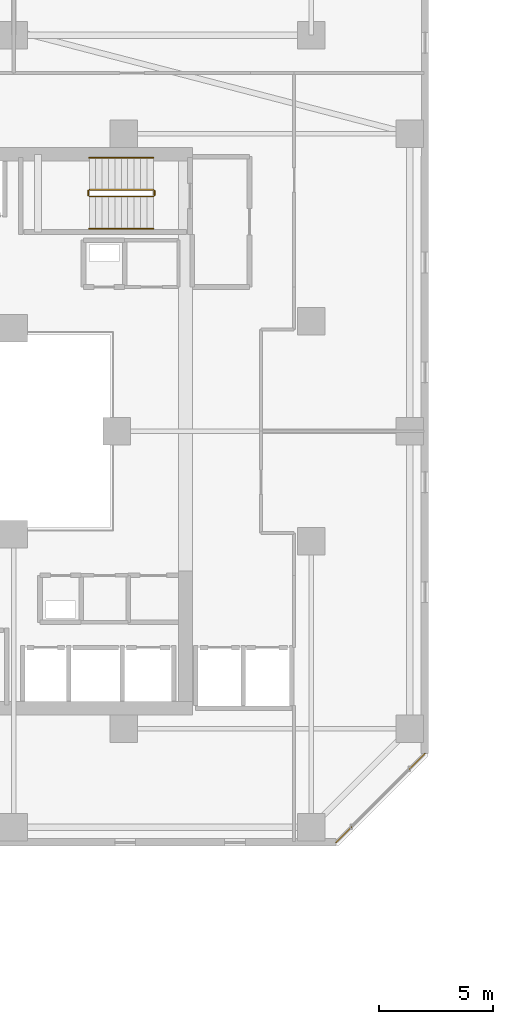
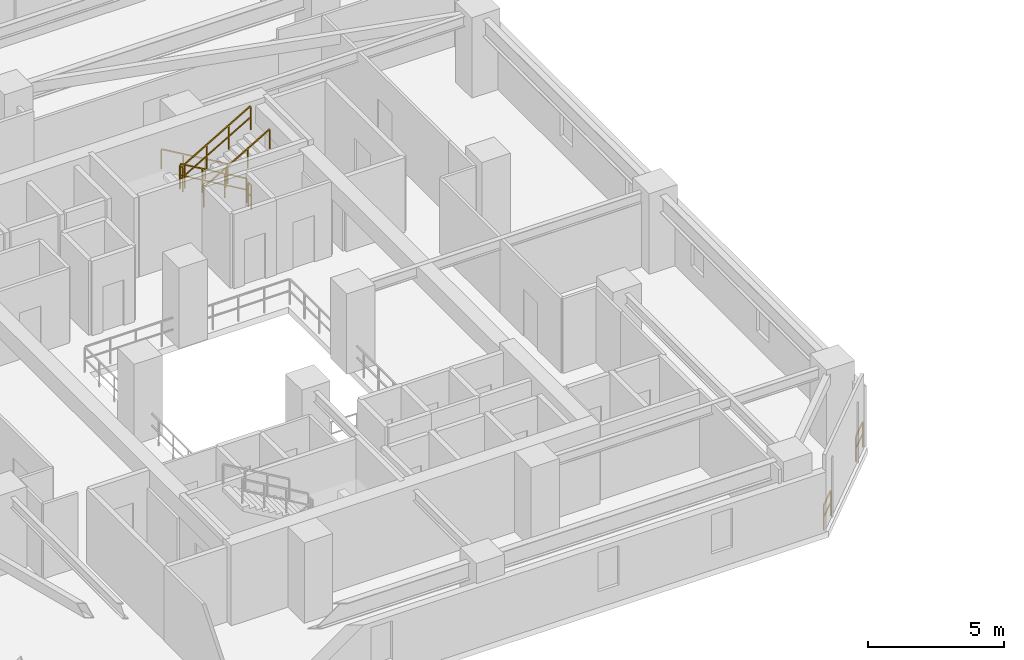
# One storey, part 31 of 33: 8 railings.
"""IFC4 building model written with IfcOpenShell, lengths in metres."""

import ifcopenshell
import ifcopenshell.guid

model = None  # the IFC model being written
_history = None  # IfcOwnerHistory: only IFC2X3 demands one
_inside = {}  # id of a spatial element -> (the spatial element, [elements in it])
_under = {}  # id of a project, library or spatial element -> (it, [spatial elements below it])
_declared = {}  # id of a project -> (the project, [libraries it declares])
_typed = {}  # id of a type object -> (the type object, [elements of that type])
_made_of = {}  # id of a material, layer set ... -> (it, [elements and type objects made of it])


def new_model(schema):
    """Start an empty IFC model of exactly this schema.

    Asked for "IFC4X3", IfcOpenShell would pick the latest addendum, in which some entities
    have other attributes; the version numbers below select the first issue.
    IFC2X3 requires an IfcOwnerHistory on every rooted entity: one is made here for all.
    """
    global model, _history
    if schema == "IFC4X3":
        model = ifcopenshell.file(schema_version=(4, 3, 0, 0))
    else:
        model = ifcopenshell.file(schema=schema)
    _inside.clear()
    _under.clear()
    _declared.clear()
    _typed.clear()
    _made_of.clear()
    _history = None
    if model.schema == "IFC2X3":
        org = make("IfcOrganization", Name="unknown")
        user = make(
            "IfcPersonAndOrganization",
            ThePerson=make("IfcPerson", FamilyName="unknown"),
            TheOrganization=org,
        )
        app = make(
            "IfcApplication",
            ApplicationDeveloper=org,
            Version="unknown",
            ApplicationFullName="unknown",
            ApplicationIdentifier="unknown",
        )
        _history = make(
            "IfcOwnerHistory",
            OwningUser=user,
            OwningApplication=app,
            ChangeAction="ADDED",
            CreationDate=0,
        )
    return model


def make(cls, **values):
    """One entity of the class cls with the attributes given. An attribute that is None is left unset."""
    return model.create_entity(
        cls, **{name: value for name, value in values.items() if value is not None}
    )


def rooted(cls, **values):
    """An entity with a GlobalId (a new one), such as an element, a storey or a relation."""
    return make(cls, GlobalId=ifcopenshell.guid.new(), OwnerHistory=_history, **values)


def si_unit(unit_type, name, prefix=None):
    """IfcSIUnit, for example si_unit("LENGTHUNIT", "METRE", prefix="MILLI")."""
    return make("IfcSIUnit", UnitType=unit_type, Prefix=prefix, Name=name)


def assignment(units):
    """IfcUnitAssignment: the units of a project."""
    return None if units is None else make("IfcUnitAssignment", Units=units)


def point(xyz):
    """IfcCartesianPoint."""
    return None if xyz is None else make("IfcCartesianPoint", Coordinates=xyz)


def direction(xyz):
    """IfcDirection."""
    return None if xyz is None else make("IfcDirection", DirectionRatios=xyz)


def frame(location, z_axis=None, x_axis=None):
    """IfcAxis2Placement3D, a coordinate frame: its origin and axes. An axis left out is left unset."""
    return make(
        "IfcAxis2Placement3D",
        Location=point(location),
        Axis=direction(z_axis),
        RefDirection=direction(x_axis),
    )


def frame_2d(location, x_axis=None):
    """IfcAxis2Placement2D, a coordinate frame in the plane: its origin and x axis."""
    return make(
        "IfcAxis2Placement2D", Location=point(location), RefDirection=direction(x_axis)
    )


def origin():
    """The frame at (0, 0, 0) with its axes left unset."""
    return frame((0.0, 0.0, 0.0))


def origin_2d():
    """The frame at (0, 0) in the plane with its x axis left unset."""
    return frame_2d((0.0, 0.0))


def place(relative_to, where):
    """IfcLocalPlacement: puts the frame where relative to a parent placement (None: the world)."""
    return make(
        "IfcLocalPlacement", PlacementRelTo=relative_to, RelativePlacement=where
    )


def context(
    kind, dimensions, precision=None, world=None, true_north=None, identifier=None
):
    """IfcGeometricRepresentationContext, for example the 3D "Model" context."""
    return make(
        "IfcGeometricRepresentationContext",
        ContextIdentifier=identifier,
        ContextType=kind,
        CoordinateSpaceDimension=dimensions,
        Precision=precision,
        WorldCoordinateSystem=world,
        TrueNorth=true_north,
    )


def subcontext(parent, identifier, kind, view, scale=None):
    """IfcGeometricRepresentationSubContext, for example "Body" below "Model"."""
    return make(
        "IfcGeometricRepresentationSubContext",
        ContextIdentifier=identifier,
        ContextType=kind,
        ParentContext=parent,
        TargetScale=scale,
        TargetView=view,
    )


def project(units=None, contexts=None):
    """IfcProject with its units and contexts."""
    return rooted(
        "IfcProject",
        Name="project",
        RepresentationContexts=contexts,
        UnitsInContext=assignment(units),
    )


def spatial(cls, under=None, at=None, **own):
    """A site, building, storey or space (cls), placed at a placement, below another one or the project."""
    s = rooted(cls, ObjectPlacement=at, **own)
    if under is not None:
        _under.setdefault(under.id(), (under, []))[1].append(s)
    return s


def profile(cls, at=None, kind="AREA", **sizes):
    """A parametric profile (cls). Its sizes go by their IFC names, for example OverallWidth=200.0."""
    return make(cls, ProfileType=kind, Position=at, **sizes)


def rectangle(**sizes):
    """IfcRectangleProfileDef."""
    return profile("IfcRectangleProfileDef", **sizes)


def extrude(swept, where, along, depth):
    """IfcExtrudedAreaSolid: the profile swept, set in the frame where, extruded along a direction by depth."""
    return make(
        "IfcExtrudedAreaSolid",
        SweptArea=swept,
        Position=where,
        ExtrudedDirection=direction(along),
        Depth=depth,
    )


def shape(context_of_items, identifier, shape_type, items):
    """IfcShapeRepresentation: the items that make up one representation, for example the "Body"."""
    return make(
        "IfcShapeRepresentation",
        ContextOfItems=context_of_items,
        RepresentationIdentifier=identifier,
        RepresentationType=shape_type,
        Items=items,
    )


def material(Name=None, Category=None):
    """IfcMaterial."""
    return make("IfcMaterial", Name=Name, Category=Category)


def made_of(thing, what):
    """Note that an element or type object is made of a material, layer set ...; save() writes the relation."""
    if what is not None:
        _made_of.setdefault(what.id(), (what, []))[1].append(thing)
    return thing


def type_object(cls, material=None, **own):
    """A type object (cls), such as IfcWallType, which elements share."""
    return made_of(rooted(cls, **own), material)


def element(
    cls,
    number,
    at=None,
    inside=None,
    cuts=None,
    type_object=None,
    material=None,
    context=None,
    identifier="Body",
    shape_type=None,
    held_by="IfcProductDefinitionShape",
    body=None,
    shapes=None,
    **own,
):
    """One element of the class cls, such as IfcWall. Its Tag is "e" and its number.

    at: its placement. inside: the storey or other place that contains it. cuts: it is an
    opening in that element (IfcRelVoidsElement). A single representation is given by context,
    identifier, shape_type and body (its items); several are given by shapes. held_by: the class
    of the entity that holds the representations. save() writes the other relations.
    """
    e = rooted(cls, Tag="e%d" % number, ObjectPlacement=at, **own)
    if body is not None:
        shapes = [shape(context, identifier, shape_type, body)]
    if shapes is not None:
        e.Representation = make(held_by, Representations=shapes)
    if inside is not None:
        _inside.setdefault(inside.id(), (inside, []))[1].append(e)
    if cuts is not None:
        rooted(
            "IfcRelVoidsElement", RelatingBuildingElement=cuts, RelatedOpeningElement=e
        )
    if type_object is not None:
        _typed.setdefault(type_object.id(), (type_object, []))[1].append(e)
    return made_of(e, material)


def aggregate(whole, parts):
    """IfcRelAggregates: a whole, such as a stair, and the parts it consists of."""
    return rooted("IfcRelAggregates", RelatingObject=whole, RelatedObjects=parts)


def save(model, path):
    """Write the relations noted so far, then the file.

    IfcRelAggregates (storeys below a building ...), IfcRelContainedInSpatialStructure (elements
    in a storey), IfcRelDefinesByType, IfcRelAssociatesMaterial and IfcRelDeclares: one each for
    every whole, place, type object, material and project.
    """
    for whole, parts in _under.values():
        aggregate(whole, parts)
    for where, things in _inside.values():
        rooted(
            "IfcRelContainedInSpatialStructure",
            RelatedElements=things,
            RelatingStructure=where,
        )
    for kind, things in _typed.values():
        rooted("IfcRelDefinesByType", RelatedObjects=things, RelatingType=kind)
    for what, things in _made_of.values():
        rooted("IfcRelAssociatesMaterial", RelatedObjects=things, RelatingMaterial=what)
    for by, libraries in _declared.values():
        rooted("IfcRelDeclares", RelatingContext=by, RelatedDefinitions=libraries)
    model.write(path)


model = new_model("IFC4")

# Units and contexts
model_context = context("Model", 3, precision=1e-05, world=origin(), true_north=direction((0.0, 1.0)))
body_context = subcontext(model_context, "Body", "Model", "MODEL_VIEW")
ifc_project = project(units=[si_unit("LENGTHUNIT", "METRE"), si_unit("AREAUNIT", "SQUARE_METRE"), si_unit("VOLUMEUNIT", "CUBIC_METRE"), si_unit("PLANEANGLEUNIT", "RADIAN"), si_unit("MASSUNIT", "GRAM", prefix="KILO")], contexts=[model_context])

# Site, building, storey
site_placement = place(None, origin())
site = spatial("IfcSite", under=ifc_project, at=site_placement, CompositionType="ELEMENT")
building_placement = place(site_placement, origin())
building = spatial("IfcBuilding", under=site, at=building_placement, Name="Thornwick Lancets Civic Towers", CompositionType="ELEMENT")
storey_placement = place(building_placement, frame((0.0, 0.0, 101.699951171875)))
storey = spatial("IfcBuildingStorey", under=building, at=storey_placement, Name="L26", CompositionType="ELEMENT", Elevation=101.699951171875)

# Railings
ifc_material_1 = material(Name="Brushed stainless steel S355", Category="steel")
railing_type_1 = type_object("IfcRailingType", Name="RAIL_HANDRAIL", PredefinedType="HANDRAIL", material=ifc_material_1)
railing_1_placement = place(storey_placement, frame((31.60009765625, 38.949951171875, 0.16357421875)))
element("IfcRailing", 1, at=railing_1_placement, inside=storey, type_object=railing_type_1, Name="L26 ST-A2 stair handrail 1", PredefinedType="HANDRAIL", context=body_context, shape_type="SweptSolid", body=[
    extrude(rectangle(XDim=0.048095703125, YDim=0.048095703125, at=origin_2d()), frame((0.0, 0.0, 0.8857421875), z_axis=(-0.863360870873, 0.0, 0.504586966384), x_axis=(0.0, -1.0, 0.0)), (0.0, 0.0, 1.0), 3.2431640625),
    extrude(rectangle(XDim=0.0419921875, YDim=0.0419921875, at=origin_2d()), origin(), (0.0, 0.0, 1.0), 0.855712890625),
    extrude(rectangle(XDim=0.0419921875, YDim=0.0419921875, at=origin_2d()), frame((-0.933349609375, 0.0, 0.54541015625)), (0.0, 0.0, 1.0), 0.855712890625),
    extrude(rectangle(XDim=0.0419921875, YDim=0.0419921875, at=origin_2d()), frame((-1.86669921875, 0.0, 1.091064453125)), (0.0, 0.0, 1.0), 0.855712890625),
    extrude(rectangle(XDim=0.0419921875, YDim=0.0419921875, at=origin_2d()), frame((-2.800048828125, 0.0, 1.636474609375)), (0.0, 0.0, 1.0), 0.855712890625),
])
railing_2_placement = place(storey_placement, frame((28.800048828125, 35.85009765625, 1.963623046875)))
element("IfcRailing", 2, at=railing_2_placement, inside=storey, type_object=railing_type_1, Name="L26 ST-A2 stair handrail 2", PredefinedType="HANDRAIL", context=body_context, shape_type="SweptSolid", body=[
    extrude(rectangle(XDim=0.048095703125, YDim=0.048095703125, at=origin_2d()), frame((0.0, 0.0, 0.8857421875), z_axis=(0.863360870873, 0.0, 0.504586966384), x_axis=(0.0, 1.0, 0.0)), (0.0, 0.0, 1.0), 3.2431640625),
    extrude(rectangle(XDim=0.0419921875, YDim=0.0419921875, at=origin_2d()), origin(), (0.0, 0.0, 1.0), 0.855712890625),
    extrude(rectangle(XDim=0.0419921875, YDim=0.0419921875, at=origin_2d()), frame((0.933349609375, 0.0, 0.54541015625)), (0.0, 0.0, 1.0), 0.855712890625),
    extrude(rectangle(XDim=0.0419921875, YDim=0.0419921875, at=origin_2d()), frame((1.86669921875, 0.0, 1.091064453125)), (0.0, 0.0, 1.0), 0.855712890625),
    extrude(rectangle(XDim=0.0419921875, YDim=0.0419921875, at=origin_2d()), frame((2.800048828125, 0.0, 1.636474609375)), (0.0, 0.0, 1.0), 0.855712890625),
])
ifc_material_2 = material(Name="Steel S355JR", Category="steel")
railing_type_2 = type_object("IfcRailingType", Name="RAIL_STAIR_GUARD", PredefinedType="GUARDRAIL", material=ifc_material_2)
railing_3_placement = place(storey_placement, frame((31.60009765625, 37.550048828125, 0.16357421875)))
element("IfcRailing", 3, at=railing_3_placement, inside=storey, type_object=railing_type_2, Name="L26 ST-A2 stair guard 1", PredefinedType="GUARDRAIL", context=body_context, shape_type="SweptSolid", body=[
    extrude(rectangle(XDim=0.048095703125, YDim=0.048095703125, at=origin_2d()), frame((0.0, 0.0, 1.076171875), z_axis=(-0.863360870873, 0.0, 0.504586966384), x_axis=(0.0, -1.0, 0.0)), (0.0, 0.0, 1.0), 3.2431640625),
    extrude(rectangle(XDim=0.0419921875, YDim=0.0419921875, at=origin_2d()), frame((-0.032470703125, 0.0, 0.591064453125), z_axis=(-0.863360870873, 0.0, 0.504586966384), x_axis=(0.0, -1.0, 0.0)), (0.0, 0.0, 1.0), 1.006103515625),
    extrude(rectangle(XDim=0.0419921875, YDim=0.0419921875, at=origin_2d()), frame((-0.9658203125, 0.0, 1.136474609375), z_axis=(-0.863360870873, 0.0, 0.504586966384), x_axis=(0.0, -1.0, 0.0)), (0.0, 0.0, 1.0), 1.006103515625),
    extrude(rectangle(XDim=0.0419921875, YDim=0.0419921875, at=origin_2d()), frame((-1.899169921875, 0.0, 1.681884765625), z_axis=(-0.863360870873, 0.0, 0.504586966384), x_axis=(0.0, -1.0, 0.0)), (0.0, 0.0, 1.0), 1.006103515625),
    extrude(rectangle(XDim=0.0419921875, YDim=0.0419921875, at=origin_2d()), origin(), (0.0, 0.0, 1.0), 1.0458984375),
    extrude(rectangle(XDim=0.0419921875, YDim=0.0419921875, at=origin_2d()), frame((-0.933349609375, 0.0, 0.54541015625)), (0.0, 0.0, 1.0), 1.0458984375),
    extrude(rectangle(XDim=0.0419921875, YDim=0.0419921875, at=origin_2d()), frame((-1.86669921875, 0.0, 1.091064453125)), (0.0, 0.0, 1.0), 1.0458984375),
    extrude(rectangle(XDim=0.0419921875, YDim=0.0419921875, at=origin_2d()), frame((-2.800048828125, 0.0, 1.636474609375)), (0.0, 0.0, 1.0), 1.0458984375),
])
railing_4_placement = place(storey_placement, frame((28.75, 37.5, 1.800048828125)))
element("IfcRailing", 4, at=railing_4_placement, inside=storey, type_object=railing_type_2, Name="L26 ST-A2 stair guard 2", PredefinedType="GUARDRAIL", context=body_context, shape_type="SweptSolid", body=[
    extrude(rectangle(XDim=0.048095703125, YDim=0.048095703125, at=origin_2d()), frame((0.0, 0.0, 1.076171875), z_axis=(0.0, -1.0, 0.0), x_axis=(1.0, 0.0, 0.0)), (0.0, 0.0, 1.0), 0.199951171875),
    extrude(rectangle(XDim=0.0419921875, YDim=0.0419921875, at=origin_2d()), frame((0.0, -0.03759765625, 0.572021484375), z_axis=(0.0, -1.0, 0.0), x_axis=(1.0, 0.0, 0.0)), (0.0, 0.0, 1.0), 0.125),
    extrude(rectangle(XDim=0.0419921875, YDim=0.0419921875, at=origin_2d()), origin(), (0.0, 0.0, 1.0), 1.0458984375),
    extrude(rectangle(XDim=0.0419921875, YDim=0.0419921875, at=origin_2d()), frame((0.0, -0.199951171875, 0.0)), (0.0, 0.0, 1.0), 1.0458984375),
])
railing_5_placement = place(storey_placement, frame((28.800048828125, 37.25, 1.963623046875)))
element("IfcRailing", 5, at=railing_5_placement, inside=storey, type_object=railing_type_2, Name="L26 ST-A2 stair guard 3", PredefinedType="GUARDRAIL", context=body_context, shape_type="SweptSolid", body=[
    extrude(rectangle(XDim=0.048095703125, YDim=0.048095703125, at=origin_2d()), frame((0.0, 0.0, 1.076171875), z_axis=(0.863360870873, 0.0, 0.504586966384), x_axis=(0.0, 1.0, 0.0)), (0.0, 0.0, 1.0), 3.2431640625),
    extrude(rectangle(XDim=0.0419921875, YDim=0.0419921875, at=origin_2d()), frame((0.032470703125, 0.0, 0.591064453125), z_axis=(0.863360870873, 0.0, 0.504586966384), x_axis=(0.0, 1.0, 0.0)), (0.0, 0.0, 1.0), 1.006103515625),
    extrude(rectangle(XDim=0.0419921875, YDim=0.0419921875, at=origin_2d()), frame((0.9658203125, 0.0, 1.136474609375), z_axis=(0.863360870873, 0.0, 0.504586966384), x_axis=(0.0, 1.0, 0.0)), (0.0, 0.0, 1.0), 1.006103515625),
    extrude(rectangle(XDim=0.0419921875, YDim=0.0419921875, at=origin_2d()), frame((1.899169921875, 0.0, 1.681884765625), z_axis=(0.863360870873, 0.0, 0.504586966384), x_axis=(0.0, 1.0, 0.0)), (0.0, 0.0, 1.0), 1.006103515625),
    extrude(rectangle(XDim=0.0419921875, YDim=0.0419921875, at=origin_2d()), origin(), (0.0, 0.0, 1.0), 1.0458984375),
    extrude(rectangle(XDim=0.0419921875, YDim=0.0419921875, at=origin_2d()), frame((0.933349609375, 0.0, 0.54541015625)), (0.0, 0.0, 1.0), 1.0458984375),
    extrude(rectangle(XDim=0.0419921875, YDim=0.0419921875, at=origin_2d()), frame((1.86669921875, 0.0, 1.091064453125)), (0.0, 0.0, 1.0), 1.0458984375),
    extrude(rectangle(XDim=0.0419921875, YDim=0.0419921875, at=origin_2d()), frame((2.800048828125, 0.0, 1.636474609375)), (0.0, 0.0, 1.0), 1.0458984375),
])
railing_6_placement = place(storey_placement, frame((31.64990234375, 37.5, 0.0)))
element("IfcRailing", 6, at=railing_6_placement, inside=storey, type_object=railing_type_2, Name="L26 ST-A2 stair guard 4", PredefinedType="GUARDRAIL", context=body_context, shape_type="SweptSolid", body=[
    extrude(rectangle(XDim=0.048095703125, YDim=0.048095703125, at=origin_2d()), frame((0.0, 0.0, 1.076171875), z_axis=(0.0, -1.0, 0.0), x_axis=(1.0, 0.0, 0.0)), (0.0, 0.0, 1.0), 0.199951171875),
    extrude(rectangle(XDim=0.0419921875, YDim=0.0419921875, at=origin_2d()), frame((0.0, -0.03759765625, 0.572021484375), z_axis=(0.0, -1.0, 0.0), x_axis=(1.0, 0.0, 0.0)), (0.0, 0.0, 1.0), 0.125),
    extrude(rectangle(XDim=0.0419921875, YDim=0.0419921875, at=origin_2d()), origin(), (0.0, 0.0, 1.0), 1.0458984375),
    extrude(rectangle(XDim=0.0419921875, YDim=0.0419921875, at=origin_2d()), frame((0.0, -0.199951171875, 0.0)), (0.0, 0.0, 1.0), 1.0458984375),
])
ifc_material_3 = material(Name="Terracotta-capped laminated glass balustrade S355", Category="masonry")
railing_type_3 = type_object("IfcRailingType", Name="RAIL_TERR_GUARD", PredefinedType="GUARDRAIL", material=ifc_material_3)
railing_7_placement = place(storey_placement, frame((39.577392578125, 9.03955078125, 0.0)))
element("IfcRailing", 7, at=railing_7_placement, inside=storey, type_object=railing_type_3, Name="L26 Tower A Chamfer Spandrel Guard E1-1", PredefinedType="GUARDRAIL", context=body_context, shape_type="SweptSolid", body=[
    extrude(rectangle(XDim=0.048095703125, YDim=0.048095703125, at=origin_2d()), frame((0.0, 0.0, 1.1259765625), z_axis=(0.706978971559, 0.707234567717, 0.0), x_axis=(-0.707234567717, 0.706978971559, 0.0)), (0.0, 0.0, 1.0), 0.955078125),
    extrude(rectangle(XDim=0.0419921875, YDim=0.0419921875, at=origin_2d()), frame((0.026611328125, 0.026611328125, 0.597900390625), z_axis=(0.706978971559, 0.707234567717, 0.0), x_axis=(-0.707234567717, 0.706978971559, 0.0)), (0.0, 0.0, 1.0), 0.880126953125),
    extrude(rectangle(XDim=0.0419921875, YDim=0.0419921875, at=origin_2d()), origin(), (0.0, 0.0, 1.0), 1.095703125),
    extrude(rectangle(XDim=0.0419921875, YDim=0.0419921875, at=origin_2d()), frame((0.67529296875, 0.675537109375, 0.0)), (0.0, 0.0, 1.0), 1.095703125),
])
railing_8_placement = place(storey_placement, frame((42.784912109375, 12.247314453125, 0.0)))
element("IfcRailing", 8, at=railing_8_placement, inside=storey, type_object=railing_type_3, Name="L26 Tower A Chamfer Spandrel Guard E1-2", PredefinedType="GUARDRAIL", context=body_context, shape_type="SweptSolid", body=[
    extrude(rectangle(XDim=0.048095703125, YDim=0.048095703125, at=origin_2d()), frame((0.0, 0.0, 1.1259765625), z_axis=(0.707234567717, 0.706978971559, 0.0), x_axis=(-0.706978971559, 0.707234567717, 0.0)), (0.0, 0.0, 1.0), 0.955078125),
    extrude(rectangle(XDim=0.0419921875, YDim=0.0419921875, at=origin_2d()), frame((0.026611328125, 0.026611328125, 0.597900390625), z_axis=(0.707234567717, 0.706978971559, 0.0), x_axis=(-0.706978971559, 0.707234567717, 0.0)), (0.0, 0.0, 1.0), 0.880126953125),
    extrude(rectangle(XDim=0.0419921875, YDim=0.0419921875, at=origin_2d()), origin(), (0.0, 0.0, 1.0), 1.095703125),
    extrude(rectangle(XDim=0.0419921875, YDim=0.0419921875, at=origin_2d()), frame((0.675537109375, 0.67529296875, 0.0)), (0.0, 0.0, 1.0), 1.095703125),
])

save(model, "model.ifc")
